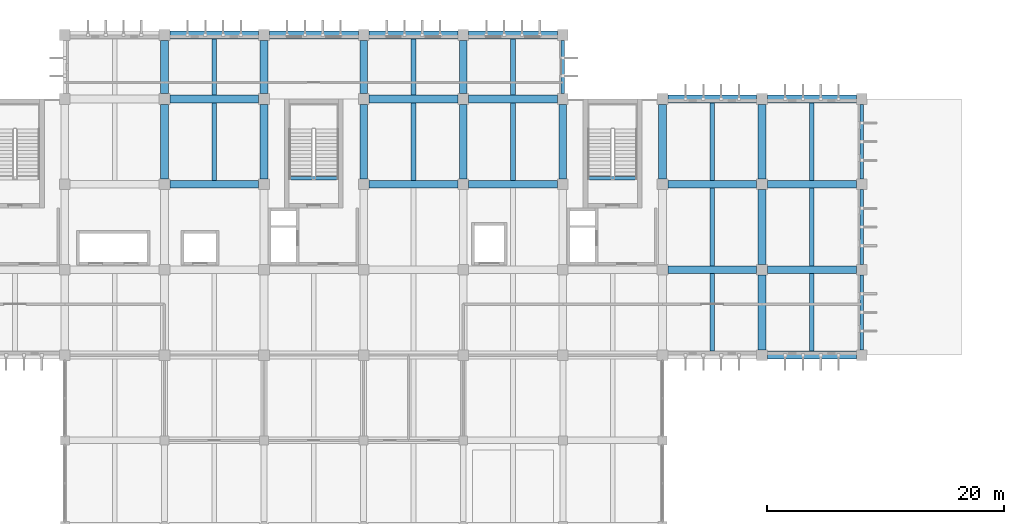
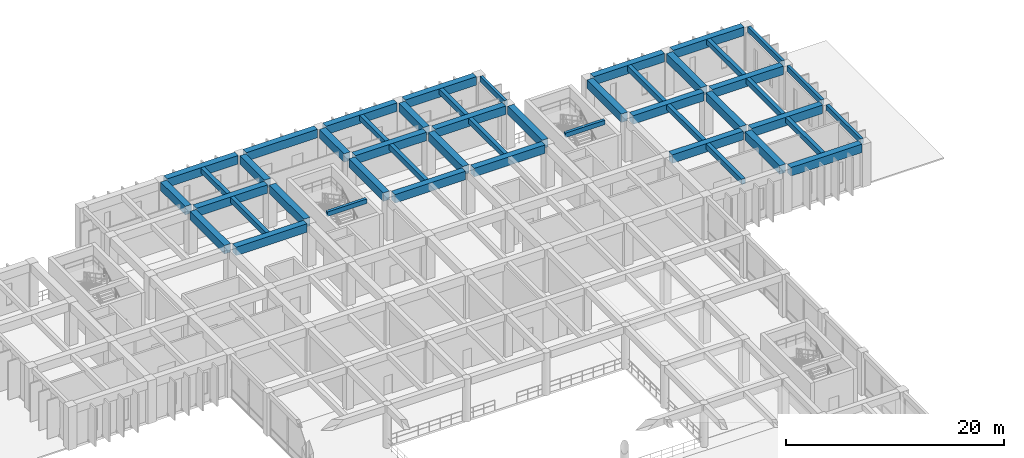
# One storey, part 24 of 52: 48 beams.
"""IFC4 building model written with IfcOpenShell, lengths in metres."""

from ifc_helpers import new_model, si_unit, direction, frame, origin, origin_2d, place, context, subcontext, project, spatial, rectangle, extrude, material, material_profile, profile_set, type_object, element, save


model = new_model("IFC4")

# Units and contexts
model_context = context("Model", 3, precision=1e-05, world=origin(), true_north=direction((0.0, 1.0)))
body_context = subcontext(model_context, "Body", "Model", "MODEL_VIEW")
ifc_project = project(units=[si_unit("LENGTHUNIT", "METRE"), si_unit("AREAUNIT", "SQUARE_METRE"), si_unit("VOLUMEUNIT", "CUBIC_METRE"), si_unit("PLANEANGLEUNIT", "RADIAN"), si_unit("MASSUNIT", "GRAM", prefix="KILO")], contexts=[model_context])

# Site, building, storey
site_placement = place(None, origin())
site = spatial("IfcSite", under=ifc_project, at=site_placement, CompositionType="ELEMENT")
building_placement = place(site_placement, origin())
building = spatial("IfcBuilding", under=site, at=building_placement, Name="Kenerak Square Central Library", CompositionType="ELEMENT")
storey_placement = place(building_placement, frame((0.0, 0.0, 4.800048828125)))
storey = spatial("IfcBuildingStorey", under=building, at=storey_placement, Name="L01", CompositionType="ELEMENT", Elevation=4.800048828125)

# Beams
ifc_material_1 = material(Name="Concrete C45/55", Category="concrete")
ifc_material_profile_1 = material_profile(ifc_material_1, rectangle(XDim=0.64990234375, YDim=0.949951171875, at=origin_2d()), Name="RC 650x950")
ifc_profile_set_1 = profile_set([ifc_material_profile_1], Name="Concrete C45/55")
beam_type_1 = type_object("IfcBeamType", Name="Book Stack Girder B-02 RC 650x950 C45/55", PredefinedType="BEAM", material=ifc_profile_set_1)
for number, where, z_axis, x_axis, name in (
    (1, (126.050048828125, 88.800048828125, 4.324951171875), (1.0, 0.0, 0.0), (0.0, 1.0, 0.0), "Beam B-02 L01 0952"),
    (2, (117.64990234375, 96.0, 4.324951171875), (1.0, 0.0, 0.0), (0.0, 1.0, 0.0), "Beam B-02 L01 0961"),
    (3, (126.050048828125, 96.0, 4.324951171875), (1.0, 0.0, 0.0), (0.0, 1.0, 0.0), "Beam B-02 L01 0962"),
    (4, (75.64990234375, 103.199951171875, 4.324951171875), (1.0, 0.0, 0.0), (0.0, 1.0, 0.0), "Beam B-02 L01 0965"),
    (5, (92.449951171875, 103.199951171875, 4.324951171875), (1.0, 0.0, 0.0), (0.0, 1.0, 0.0), "Beam B-02 L01 0966"),
    (6, (100.85009765625, 103.199951171875, 4.324951171875), (1.0, 0.0, 0.0), (0.0, 1.0, 0.0), "Beam B-02 L01 0967"),
    (7, (117.64990234375, 103.199951171875, 4.324951171875), (1.0, 0.0, 0.0), (0.0, 1.0, 0.0), "Beam B-02 L01 0968"),
    (8, (126.050048828125, 103.199951171875, 4.324951171875), (1.0, 0.0, 0.0), (0.0, 1.0, 0.0), "Beam B-02 L01 0969"),
    (9, (75.64990234375, 110.39990234375, 4.324951171875), (1.0, 0.0, 0.0), (0.0, 1.0, 0.0), "Beam B-02 L01 0972"),
    (10, (92.449951171875, 110.39990234375, 4.324951171875), (1.0, 0.0, 0.0), (0.0, 1.0, 0.0), "Beam B-02 L01 0973"),
    (11, (100.85009765625, 110.39990234375, 4.324951171875), (1.0, 0.0, 0.0), (0.0, 1.0, 0.0), "Beam B-02 L01 0974"),
    (12, (117.64990234375, 110.39990234375, 4.324951171875), (1.0, 0.0, 0.0), (0.0, 1.0, 0.0), "Beam B-02 L01 0975"),
    (13, (126.050048828125, 110.39990234375, 4.324951171875), (1.0, 0.0, 0.0), (0.0, 1.0, 0.0), "Beam B-02 L01 0976"),
    (14, (75.64990234375, 115.800048828125, 4.324951171875), (1.0, 0.0, 0.0), (0.0, 1.0, 0.0), "Beam B-02 L01 0978"),
    (15, (84.050048828125, 115.800048828125, 4.324951171875), (1.0, 0.0, 0.0), (0.0, 1.0, 0.0), "Beam B-02 L01 0979"),
    (16, (92.449951171875, 115.800048828125, 4.324951171875), (1.0, 0.0, 0.0), (0.0, 1.0, 0.0), "Beam B-02 L01 0980"),
    (17, (100.85009765625, 115.800048828125, 4.324951171875), (1.0, 0.0, 0.0), (0.0, 1.0, 0.0), "Beam B-02 L01 0981"),
):
    element("IfcBeam", number, at=place(storey_placement, frame(where, z_axis=z_axis, x_axis=x_axis)), inside=storey, type_object=beam_type_1, Name=name, PredefinedType="BEAM", context=body_context, shape_type="SweptSolid", body=[
        extrude(rectangle(XDim=0.64990234375, YDim=0.949951171875, at=origin_2d()), origin(), (0.0, 0.0, 1.0), 7.5),
    ])
beam_1_placement = place(storey_placement, frame((75.199951171875, 103.64990234375, 4.324951171875), z_axis=(0.0, 1.0, 0.0), x_axis=(-1.0, 0.0, 0.0)))
element("IfcBeam", 18, at=beam_1_placement, inside=storey, type_object=beam_type_1, Name="Beam B-02 L01 1030", PredefinedType="BEAM", context=body_context, shape_type="SweptSolid", body=[
    extrude(rectangle(XDim=0.64990234375, YDim=0.949951171875, at=origin_2d()), origin(), (0.0, 0.0, 1.0), 6.300048828125),
])
beam_2_placement = place(storey_placement, frame((75.199951171875, 110.85009765625, 4.324951171875), z_axis=(0.0, 1.0, 0.0), x_axis=(-1.0, 0.0, 0.0)))
element("IfcBeam", 19, at=beam_2_placement, inside=storey, type_object=beam_type_1, Name="Beam B-02 L01 1031", PredefinedType="BEAM", context=body_context, shape_type="SweptSolid", body=[
    extrude(rectangle(XDim=0.64990234375, YDim=0.949951171875, at=origin_2d()), origin(), (0.0, 0.0, 1.0), 4.5),
])
beam_3_placement = place(storey_placement, frame((83.60009765625, 103.64990234375, 4.324951171875), z_axis=(0.0, 1.0, 0.0), x_axis=(-1.0, 0.0, 0.0)))
element("IfcBeam", 20, at=beam_3_placement, inside=storey, type_object=beam_type_1, Name="Beam B-02 L01 1039", PredefinedType="BEAM", context=body_context, shape_type="SweptSolid", body=[
    extrude(rectangle(XDim=0.64990234375, YDim=0.949951171875, at=origin_2d()), origin(), (0.0, 0.0, 1.0), 6.300048828125),
])
beam_4_placement = place(storey_placement, frame((83.60009765625, 110.85009765625, 4.324951171875), z_axis=(0.0, 1.0, 0.0), x_axis=(-1.0, 0.0, 0.0)))
element("IfcBeam", 21, at=beam_4_placement, inside=storey, type_object=beam_type_1, Name="Beam B-02 L01 1040", PredefinedType="BEAM", context=body_context, shape_type="SweptSolid", body=[
    extrude(rectangle(XDim=0.64990234375, YDim=0.949951171875, at=origin_2d()), origin(), (0.0, 0.0, 1.0), 4.5),
])
beam_5_placement = place(storey_placement, frame((92.0, 103.64990234375, 4.324951171875), z_axis=(0.0, 1.0, 0.0), x_axis=(-1.0, 0.0, 0.0)))
element("IfcBeam", 22, at=beam_5_placement, inside=storey, type_object=beam_type_1, Name="Beam B-02 L01 1048", PredefinedType="BEAM", context=body_context, shape_type="SweptSolid", body=[
    extrude(rectangle(XDim=0.64990234375, YDim=0.949951171875, at=origin_2d()), origin(), (0.0, 0.0, 1.0), 6.300048828125),
])
beam_6_placement = place(storey_placement, frame((92.0, 110.85009765625, 4.324951171875), z_axis=(0.0, 1.0, 0.0), x_axis=(-1.0, 0.0, 0.0)))
element("IfcBeam", 23, at=beam_6_placement, inside=storey, type_object=beam_type_1, Name="Beam B-02 L01 1049", PredefinedType="BEAM", context=body_context, shape_type="SweptSolid", body=[
    extrude(rectangle(XDim=0.64990234375, YDim=0.949951171875, at=origin_2d()), origin(), (0.0, 0.0, 1.0), 4.5),
])
beam_7_placement = place(storey_placement, frame((100.39990234375, 103.64990234375, 4.324951171875), z_axis=(0.0, 1.0, 0.0), x_axis=(-1.0, 0.0, 0.0)))
element("IfcBeam", 24, at=beam_7_placement, inside=storey, type_object=beam_type_1, Name="Beam B-02 L01 1059", PredefinedType="BEAM", context=body_context, shape_type="SweptSolid", body=[
    extrude(rectangle(XDim=0.64990234375, YDim=0.949951171875, at=origin_2d()), origin(), (0.0, 0.0, 1.0), 6.300048828125),
])
beam_8_placement = place(storey_placement, frame((100.39990234375, 110.85009765625, 4.324951171875), z_axis=(0.0, 1.0, 0.0), x_axis=(-1.0, 0.0, 0.0)))
element("IfcBeam", 25, at=beam_8_placement, inside=storey, type_object=beam_type_1, Name="Beam B-02 L01 1060", PredefinedType="BEAM", context=body_context, shape_type="SweptSolid", body=[
    extrude(rectangle(XDim=0.64990234375, YDim=0.949951171875, at=origin_2d()), origin(), (0.0, 0.0, 1.0), 4.5),
])
for number, where, z_axis, x_axis, name in (
    (26, (108.800048828125, 103.64990234375, 4.324951171875), (0.0, 1.0, 0.0), (-1.0, 0.0, 0.0), "Beam B-02 L01 1070"),
    (27, (117.199951171875, 103.64990234375, 4.324951171875), (0.0, 1.0, 0.0), (-1.0, 0.0, 0.0), "Beam B-02 L01 1081"),
    (28, (125.60009765625, 89.25, 4.324951171875), (0.0, 1.0, 0.0), (-1.0, 0.0, 0.0), "Beam B-02 L01 1085"),
    (29, (125.60009765625, 96.449951171875, 4.324951171875), (0.0, 1.0, 0.0), (-1.0, 0.0, 0.0), "Beam B-02 L01 1086"),
    (30, (125.60009765625, 103.64990234375, 4.324951171875), (0.0, 1.0, 0.0), (-1.0, 0.0, 0.0), "Beam B-02 L01 1087"),
):
    element("IfcBeam", number, at=place(storey_placement, frame(where, z_axis=z_axis, x_axis=x_axis)), inside=storey, type_object=beam_type_1, Name=name, PredefinedType="BEAM", context=body_context, shape_type="SweptSolid", body=[
        extrude(rectangle(XDim=0.64990234375, YDim=0.949951171875, at=origin_2d()), origin(), (0.0, 0.0, 1.0), 6.300048828125),
    ])
ifc_material_2 = material(Name="Concrete C40/50", Category="concrete")
ifc_material_profile_2 = material_profile(ifc_material_2, rectangle(XDim=0.300048828125, YDim=0.60009765625, at=origin_2d()), Name="RC 300x600")
ifc_profile_set_2 = profile_set([ifc_material_profile_2], Name="Concrete C40/50")
beam_type_2 = type_object("IfcBeamType", Name="Courtyard Spandrel Beam SP-02 RC 300x600 C40/50", PredefinedType="SPANDREL", material=ifc_profile_set_2)
beam_9_placement = place(storey_placement, frame((108.800048828125, 110.85009765625, 4.5), z_axis=(0.0, 1.0, 0.0), x_axis=(-1.0, 0.0, 0.0)))
element("IfcBeam", 31, at=beam_9_placement, inside=storey, type_object=beam_type_2, Name="Beam SP-02 L01 1071", PredefinedType="SPANDREL", context=body_context, shape_type="SweptSolid", body=[
    extrude(rectangle(XDim=0.300048828125, YDim=0.60009765625, at=origin_2d()), origin(), (0.0, 0.0, 1.0), 4.5),
])
for number, where, z_axis, x_axis, name in (
    (32, (134.0, 89.25, 4.5), (0.0, 1.0, 0.0), (-1.0, 0.0, 0.0), "Beam SP-02 L01 1091"),
    (33, (134.0, 96.449951171875, 4.5), (0.0, 1.0, 0.0), (-1.0, 0.0, 0.0), "Beam SP-02 L01 1092"),
    (34, (134.0, 103.64990234375, 4.5), (0.0, 1.0, 0.0), (-1.0, 0.0, 0.0), "Beam SP-02 L01 1093"),
):
    element("IfcBeam", number, at=place(storey_placement, frame(where, z_axis=z_axis, x_axis=x_axis)), inside=storey, type_object=beam_type_2, Name=name, PredefinedType="SPANDREL", context=body_context, shape_type="SweptSolid", body=[
        extrude(rectangle(XDim=0.300048828125, YDim=0.60009765625, at=origin_2d()), origin(), (0.0, 0.0, 1.0), 6.300048828125),
    ])
ifc_material_profile_3 = material_profile(ifc_material_2, rectangle(XDim=0.300048828125, YDim=0.5, at=origin_2d()), Name="RC 300x500")
ifc_profile_set_3 = profile_set([ifc_material_profile_3], Name="Concrete C40/50")
beam_type_3 = type_object("IfcBeamType", Name="Landing Support Beam B-08 RC 300x500 C40/50", PredefinedType="BEAM", material=ifc_profile_set_3)
beam_10_placement = place(storey_placement, frame((85.719970703125, 103.7099609375, 4.550048828125), z_axis=(1.0, 0.0, 0.0), x_axis=(0.0, 1.0, 0.0)))
element("IfcBeam", 35, at=beam_10_placement, inside=storey, type_object=beam_type_3, Name="Stair Threshold Beam B-08 ST-02 L02", PredefinedType="BEAM", context=body_context, shape_type="SweptSolid", body=[
    extrude(rectangle(XDim=0.300048828125, YDim=0.5, at=origin_2d()), origin(), (0.0, 0.0, 1.0), 4.159912109375),
])
beam_11_placement = place(storey_placement, frame((110.919921875, 103.7099609375, 4.550048828125), z_axis=(1.0, 0.0, 0.0), x_axis=(0.0, 1.0, 0.0)))
element("IfcBeam", 36, at=beam_11_placement, inside=storey, type_object=beam_type_3, Name="Stair Threshold Beam B-08 ST-03 L02", PredefinedType="BEAM", context=body_context, shape_type="SweptSolid", body=[
    extrude(rectangle(XDim=0.300048828125, YDim=0.5, at=origin_2d()), origin(), (0.0, 0.0, 1.0), 4.16015625),
])
ifc_material_profile_4 = material_profile(ifc_material_2, rectangle(XDim=0.39990234375, YDim=0.60009765625, at=origin_2d()), Name="RC 400x600")
ifc_profile_set_4 = profile_set([ifc_material_profile_4], Name="Concrete C40/50")
beam_type_4 = type_object("IfcBeamType", Name="Secondary Floor Joist J-01 RC 400x600 C40/50", PredefinedType="JOIST", material=ifc_profile_set_4)
beam_12_placement = place(storey_placement, frame((79.39990234375, 103.52490234375, 4.5), z_axis=(0.0, 1.0, 0.0), x_axis=(-1.0, 0.0, 0.0)))
element("IfcBeam", 37, at=beam_12_placement, inside=storey, type_object=beam_type_4, Name="Joist J-01 L01 1131", PredefinedType="JOIST", context=body_context, shape_type="SweptSolid", body=[
    extrude(rectangle(XDim=0.39990234375, YDim=0.60009765625, at=origin_2d()), origin(), (0.0, 0.0, 1.0), 6.550048828125),
])
beam_13_placement = place(storey_placement, frame((79.39990234375, 110.72509765625, 4.5), z_axis=(0.0, 1.0, 0.0), x_axis=(-1.0, 0.0, 0.0)))
element("IfcBeam", 38, at=beam_13_placement, inside=storey, type_object=beam_type_4, Name="Joist J-01 L01 1132", PredefinedType="JOIST", context=body_context, shape_type="SweptSolid", body=[
    extrude(rectangle(XDim=0.39990234375, YDim=0.60009765625, at=origin_2d()), origin(), (0.0, 0.0, 1.0), 4.75),
])
beam_14_placement = place(storey_placement, frame((96.199951171875, 103.52490234375, 4.5), z_axis=(0.0, 1.0, 0.0), x_axis=(-1.0, 0.0, 0.0)))
element("IfcBeam", 39, at=beam_14_placement, inside=storey, type_object=beam_type_4, Name="Joist J-01 L01 1152", PredefinedType="JOIST", context=body_context, shape_type="SweptSolid", body=[
    extrude(rectangle(XDim=0.39990234375, YDim=0.60009765625, at=origin_2d()), origin(), (0.0, 0.0, 1.0), 6.550048828125),
])
beam_15_placement = place(storey_placement, frame((96.199951171875, 110.72509765625, 4.5), z_axis=(0.0, 1.0, 0.0), x_axis=(-1.0, 0.0, 0.0)))
element("IfcBeam", 40, at=beam_15_placement, inside=storey, type_object=beam_type_4, Name="Joist J-01 L01 1153", PredefinedType="JOIST", context=body_context, shape_type="SweptSolid", body=[
    extrude(rectangle(XDim=0.39990234375, YDim=0.60009765625, at=origin_2d()), origin(), (0.0, 0.0, 1.0), 4.75),
])
beam_16_placement = place(storey_placement, frame((104.60009765625, 103.52490234375, 4.5), z_axis=(0.0, 1.0, 0.0), x_axis=(-1.0, 0.0, 0.0)))
element("IfcBeam", 41, at=beam_16_placement, inside=storey, type_object=beam_type_4, Name="Joist J-01 L01 1166", PredefinedType="JOIST", context=body_context, shape_type="SweptSolid", body=[
    extrude(rectangle(XDim=0.39990234375, YDim=0.60009765625, at=origin_2d()), origin(), (0.0, 0.0, 1.0), 6.550048828125),
])
beam_17_placement = place(storey_placement, frame((104.60009765625, 110.72509765625, 4.5), z_axis=(0.0, 1.0, 0.0), x_axis=(-1.0, 0.0, 0.0)))
element("IfcBeam", 42, at=beam_17_placement, inside=storey, type_object=beam_type_4, Name="Joist J-01 L01 1167", PredefinedType="JOIST", context=body_context, shape_type="SweptSolid", body=[
    extrude(rectangle(XDim=0.39990234375, YDim=0.60009765625, at=origin_2d()), origin(), (0.0, 0.0, 1.0), 4.75),
])
for number, where, z_axis, x_axis, name in (
    (43, (121.39990234375, 89.125, 4.5), (0.0, 1.0, 0.0), (-1.0, 0.0, 0.0), "Joist J-01 L01 1176"),
    (44, (121.39990234375, 96.324951171875, 4.5), (0.0, 1.0, 0.0), (-1.0, 0.0, 0.0), "Joist J-01 L01 1177"),
    (45, (121.39990234375, 103.52490234375, 4.5), (0.0, 1.0, 0.0), (-1.0, 0.0, 0.0), "Joist J-01 L01 1178"),
    (46, (129.800048828125, 89.125, 4.5), (0.0, 1.0, 0.0), (-1.0, 0.0, 0.0), "Joist J-01 L01 1182"),
    (47, (129.800048828125, 96.324951171875, 4.5), (0.0, 1.0, 0.0), (-1.0, 0.0, 0.0), "Joist J-01 L01 1183"),
    (48, (129.800048828125, 103.52490234375, 4.5), (0.0, 1.0, 0.0), (-1.0, 0.0, 0.0), "Joist J-01 L01 1184"),
):
    element("IfcBeam", number, at=place(storey_placement, frame(where, z_axis=z_axis, x_axis=x_axis)), inside=storey, type_object=beam_type_4, Name=name, PredefinedType="JOIST", context=body_context, shape_type="SweptSolid", body=[
        extrude(rectangle(XDim=0.39990234375, YDim=0.60009765625, at=origin_2d()), origin(), (0.0, 0.0, 1.0), 6.550048828125),
    ])

save(model, "model.ifc")
